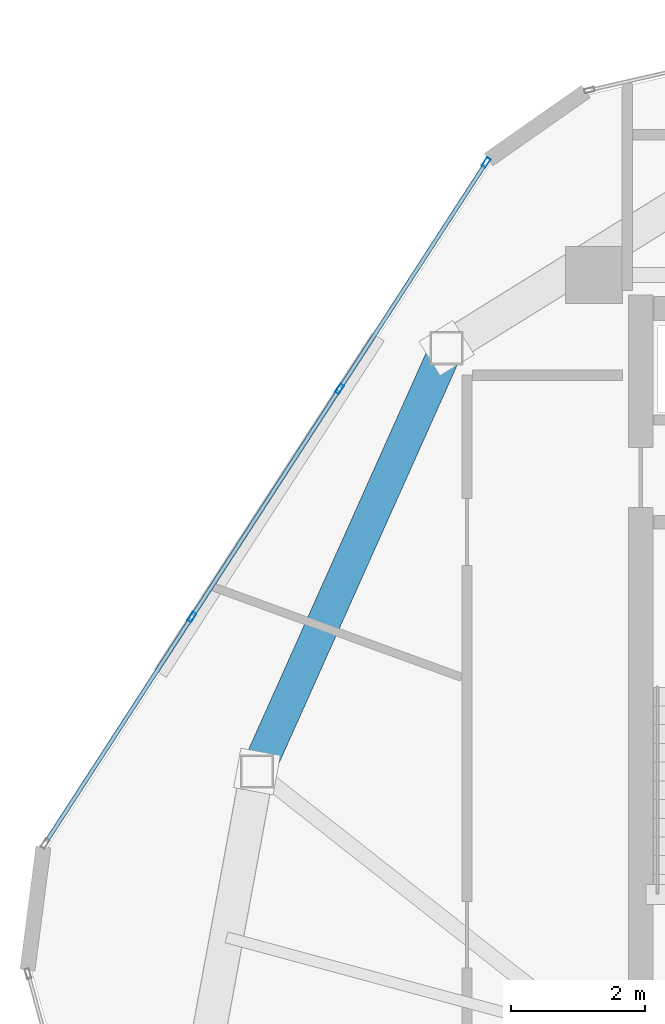
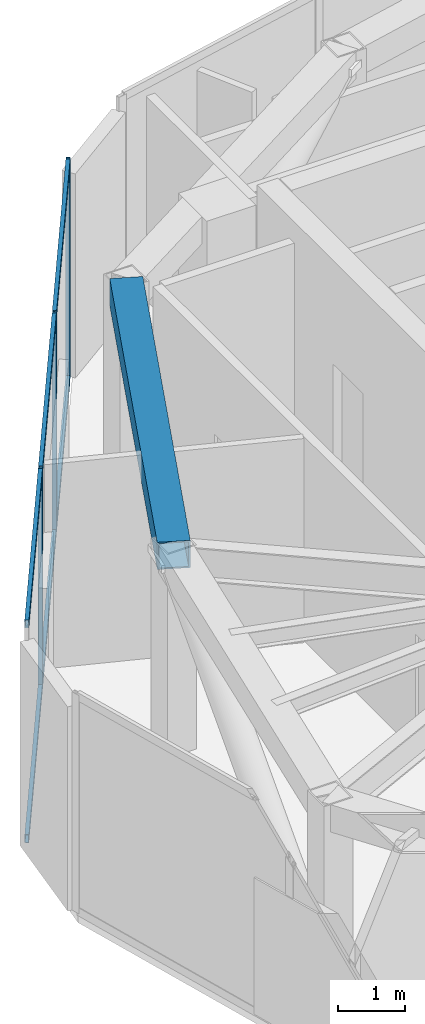
# One storey, part 9 of 21: 9 members, 1 beam, 1 element without a shape of its own.
"""IFC4 building model written with IfcOpenShell, lengths in metres."""

from ifc_helpers import new_model, si_unit, direction, frame, origin, origin_2d, place, context, subcontext, project, spatial, hollow_rectangle, extrude, source, transform, mapped, material, layer, layer_set, material_profile, profile_set, type_object, type_shapes, element, aggregate, save


model = new_model("IFC4")

# Units and contexts
model_context = context("Model", 3, precision=1e-05, world=origin(), true_north=direction((0.0, 1.0)))
body_context = subcontext(model_context, "Body", "Model", "MODEL_VIEW")
ifc_project = project(units=[si_unit("LENGTHUNIT", "METRE"), si_unit("AREAUNIT", "SQUARE_METRE"), si_unit("VOLUMEUNIT", "CUBIC_METRE"), si_unit("PLANEANGLEUNIT", "RADIAN"), si_unit("MASSUNIT", "GRAM", prefix="KILO")], contexts=[model_context])

# Site, building, storey
site_placement = place(None, origin())
site = spatial("IfcSite", under=ifc_project, at=site_placement, CompositionType="ELEMENT")
building_placement = place(site_placement, origin())
building = spatial("IfcBuilding", under=site, at=building_placement, Name="Talar Marvaseh", CompositionType="ELEMENT")
storey_placement = place(building_placement, frame((0.0, 0.0, 308.0)))
storey = spatial("IfcBuildingStorey", under=building, at=storey_placement, Name="L82", CompositionType="ELEMENT", Elevation=308.0)

# Beam
ifc_material_1 = material(Name="Steel S460", Category="steel")
ifc_material_profile_1 = material_profile(ifc_material_1, hollow_rectangle(XDim=0.5, YDim=0.5, WallThickness=0.02490234375, at=origin_2d()), Name="BOX500x500x25")
ifc_profile_set_1 = profile_set([ifc_material_profile_1], Name="Steel S460")
beam_type = type_object("IfcBeamType", Name="Crown Frame Top Ring Beam BOX500x500x25", PredefinedType="BEAM", material=ifc_profile_set_1)
beam_placement = place(storey_placement, frame((13.657958984375, 29.469970703125, 3.489990234375), z_axis=(0.408486346803, 0.912764429892, 0.0), x_axis=(-0.912764429892, 0.408486346803, 0.0)))
element("IfcBeam", 1, at=beam_placement, inside=storey, type_object=beam_type, Name="L82 Crown Frame Top Ring Beam BOX500x500x25", PredefinedType="BEAM", context=body_context, shape_type="SweptSolid", body=[
    extrude(hollow_rectangle(XDim=0.5, YDim=0.5, WallThickness=0.02490234375, at=origin_2d()), origin(), (0.0, 0.0, 1.0), 6.942626953125),
])

# Curtain wall, members
ifc_material_2 = material(Name="Architectural Aluminium", Category="aluminium")
ifc_layer = layer(ifc_material_2, 0.2099609375)
ifc_layer_set = layer_set([ifc_layer], Name="Architectural Aluminium")
curtain_wall_type = type_object("IfcCurtainWallType", Name="Crown Plant Acoustic Spandrel Curtain Wall", PredefinedType="NOTDEFINED", material=ifc_layer_set)
curtain_wall_placement = place(storey_placement, origin())
curtain_wall = element("IfcCurtainWall", 2, at=curtain_wall_placement, inside=storey, type_object=curtain_wall_type, Name="L82 Crown Plant Acoustic Spandrel Curtain Wall", PredefinedType="NOTDEFINED")
ifc_material_profile_2 = material_profile(ifc_material_2, hollow_rectangle(XDim=0.06494140625, YDim=0.14990234375, WallThickness=0.00390625, at=origin_2d()), Name="RHS150x65x4")
ifc_profile_set_2 = profile_set([ifc_material_profile_2], Name="Architectural Aluminium")
member_type_1 = type_object("IfcMemberType", Name="Unitised Curtain Wall Slim Transom RHS150x65x4", PredefinedType="USERDEFINED", material=ifc_profile_set_2)
shared_shape_1 = source(origin(), body_context, "Body", "SweptSolid", [
    extrude(hollow_rectangle(XDim=0.06494140625, YDim=0.14990234375, WallThickness=0.00390625, at=origin_2d()), origin(), (0.0, 0.0, 1.0), 3.97119140625),
])
member_1_placement = place(storey_placement, frame((10.505615234375, 28.420166015625, 0.032470703125), z_axis=(0.543656524713, 0.839307799998, 0.0), x_axis=(-0.839307799998, 0.543656524713, 0.0)))
member_1 = element("IfcMember", 3, at=member_1_placement, type_object=member_type_1, Name="CW-CRN transom 1.1", ObjectType="TRANSOM", PredefinedType="USERDEFINED", context=body_context, shape_type="MappedRepresentation", body=[
    mapped(shared_shape_1, transform((0.0, 0.0, 0.0), x_axis=(1.0, 0.0, 0.0), y_axis=(0.0, 1.0, 0.0), z_axis=(0.0, 0.0, 1.0), scale=1.0)),
])
member_2_placement = place(storey_placement, frame((10.505615234375, 28.420166015625, 3.967529296875), z_axis=(0.543656524713, 0.839307799998, 0.0), x_axis=(-0.839307799998, 0.543656524713, 0.0)))
member_2 = element("IfcMember", 4, at=member_2_placement, type_object=member_type_1, Name="CW-CRN transom 1.2", ObjectType="TRANSOM", PredefinedType="USERDEFINED", context=body_context, shape_type="MappedRepresentation", body=[
    mapped(shared_shape_1, transform((0.0, 0.0, 0.0), x_axis=(1.0, 0.0, 0.0), y_axis=(0.0, 1.0, 0.0), z_axis=(0.0, 0.0, 1.0), scale=1.0)),
])
member_3_placement = place(storey_placement, frame((14.911865234375, 35.22265625, 0.032470703125), z_axis=(0.543656524713, 0.839307799998, 0.0), x_axis=(-0.839307799998, 0.543656524713, 0.0)))
member_3 = element("IfcMember", 5, at=member_3_placement, type_object=member_type_1, Name="CW-CRN transom 3.1", ObjectType="TRANSOM", PredefinedType="USERDEFINED", context=body_context, shape_type="MappedRepresentation", body=[
    mapped(shared_shape_1, transform((0.0, 0.0, 0.0), x_axis=(1.0, 0.0, 0.0), y_axis=(0.0, 1.0, 0.0), z_axis=(0.0, 0.0, 1.0), scale=1.0)),
])
member_4_placement = place(storey_placement, frame((14.911865234375, 35.22265625, 3.967529296875), z_axis=(0.543656524713, 0.839307799998, 0.0), x_axis=(-0.839307799998, 0.543656524713, 0.0)))
member_4 = element("IfcMember", 6, at=member_4_placement, type_object=member_type_1, Name="CW-CRN transom 3.2", ObjectType="TRANSOM", PredefinedType="USERDEFINED", context=body_context, shape_type="MappedRepresentation", body=[
    mapped(shared_shape_1, transform((0.0, 0.0, 0.0), x_axis=(1.0, 0.0, 0.0), y_axis=(0.0, 1.0, 0.0), z_axis=(0.0, 0.0, 1.0), scale=1.0)),
])
shared_shape_2 = source(origin(), body_context, "Body", "SweptSolid", [
    extrude(hollow_rectangle(XDim=0.06494140625, YDim=0.14990234375, WallThickness=0.00390625, at=origin_2d()), origin(), (0.0, 0.0, 1.0), 4.003662109375),
])
type_shapes(member_type_1, [shared_shape_1, shared_shape_2])
member_5_placement = place(storey_placement, frame((12.699951171875, 31.807861328125, 0.032470703125), z_axis=(0.54363301369, 0.839323028652, 0.0), x_axis=(-0.839323028652, 0.54363301369, 0.0)))
member_5 = element("IfcMember", 7, at=member_5_placement, type_object=member_type_1, Name="CW-CRN transom 2.1", ObjectType="TRANSOM", PredefinedType="USERDEFINED", context=body_context, shape_type="MappedRepresentation", body=[
    mapped(shared_shape_2, transform((0.0, 0.0, 0.0), x_axis=(1.0, 0.0, 0.0), y_axis=(0.0, 1.0, 0.0), z_axis=(0.0, 0.0, 1.0), scale=1.0)),
])
member_6_placement = place(storey_placement, frame((12.699951171875, 31.807861328125, 3.967529296875), z_axis=(0.54363301369, 0.839323028652, 0.0), x_axis=(-0.839323028652, 0.54363301369, 0.0)))
member_6 = element("IfcMember", 8, at=member_6_placement, type_object=member_type_1, Name="CW-CRN transom 2.2", ObjectType="TRANSOM", PredefinedType="USERDEFINED", context=body_context, shape_type="MappedRepresentation", body=[
    mapped(shared_shape_2, transform((0.0, 0.0, 0.0), x_axis=(1.0, 0.0, 0.0), y_axis=(0.0, 1.0, 0.0), z_axis=(0.0, 0.0, 1.0), scale=1.0)),
])
ifc_material_profile_3 = material_profile(ifc_material_2, hollow_rectangle(XDim=0.06494140625, YDim=0.14990234375, WallThickness=0.00390625, at=origin_2d()), Name="RHS150x65x4")
ifc_profile_set_3 = profile_set([ifc_material_profile_3], Name="Architectural Aluminium")
member_type_2 = type_object("IfcMemberType", Name="Unitised Curtain Wall Slim Mullion RHS150x65x4", PredefinedType="MULLION", material=ifc_profile_set_3)
shared_shape_3 = source(origin(), body_context, "Body", "SweptSolid", [
    extrude(hollow_rectangle(XDim=0.06494140625, YDim=0.14990234375, WallThickness=0.00390625, at=origin_2d()), origin(), (0.0, 0.0, 1.0), 4.0),
])
type_shapes(member_type_2, [shared_shape_3])
member_7_placement = place(storey_placement, frame((12.682373046875, 31.780517578125, 0.0), z_axis=(0.0, 0.0, 1.0), x_axis=(-0.839314430427, 0.543646288387, 0.0)))
member_7 = element("IfcMember", 9, at=member_7_placement, type_object=member_type_2, Name="CW-CRN mullion 2", PredefinedType="MULLION", context=body_context, shape_type="MappedRepresentation", body=[
    mapped(shared_shape_3, transform((0.0, 0.0, 0.0), x_axis=(1.0, 0.0, 0.0), y_axis=(0.0, 1.0, 0.0), z_axis=(0.0, 0.0, 1.0), scale=1.0)),
])
member_8_placement = place(storey_placement, frame((14.894287109375, 35.1953125, 0.0), z_axis=(0.0, 0.0, 1.0), x_axis=(-0.839314430427, 0.543646288387, 0.0)))
member_8 = element("IfcMember", 10, at=member_8_placement, type_object=member_type_2, Name="CW-CRN mullion 3", PredefinedType="MULLION", context=body_context, shape_type="MappedRepresentation", body=[
    mapped(shared_shape_3, transform((0.0, 0.0, 0.0), x_axis=(1.0, 0.0, 0.0), y_axis=(0.0, 1.0, 0.0), z_axis=(0.0, 0.0, 1.0), scale=1.0)),
])
member_9_placement = place(storey_placement, frame((17.08837890625, 38.5830078125, 0.0), z_axis=(0.0, 0.0, 1.0), x_axis=(-0.839314430427, 0.543646288387, 0.0)))
member_9 = element("IfcMember", 11, at=member_9_placement, type_object=member_type_2, Name="CW-CRN mullion 4", PredefinedType="MULLION", context=body_context, shape_type="MappedRepresentation", body=[
    mapped(shared_shape_3, transform((0.0, 0.0, 0.0), x_axis=(1.0, 0.0, 0.0), y_axis=(0.0, 1.0, 0.0), z_axis=(0.0, 0.0, 1.0), scale=1.0)),
])
aggregate(curtain_wall, [member_7, member_8, member_9, member_1, member_2, member_5, member_6, member_3, member_4])

save(model, "model.ifc")
